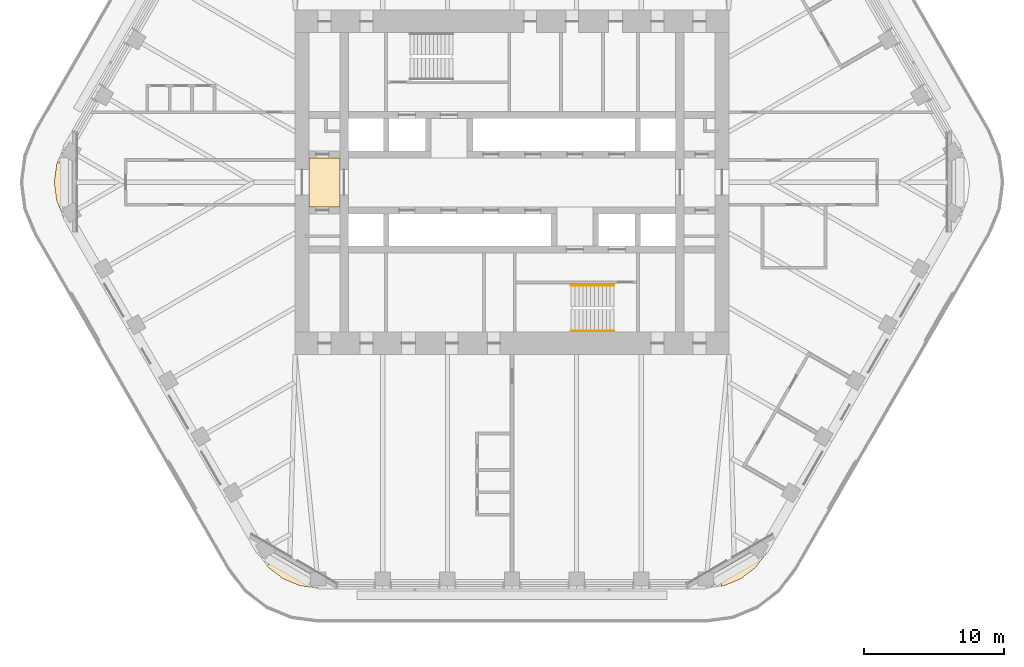
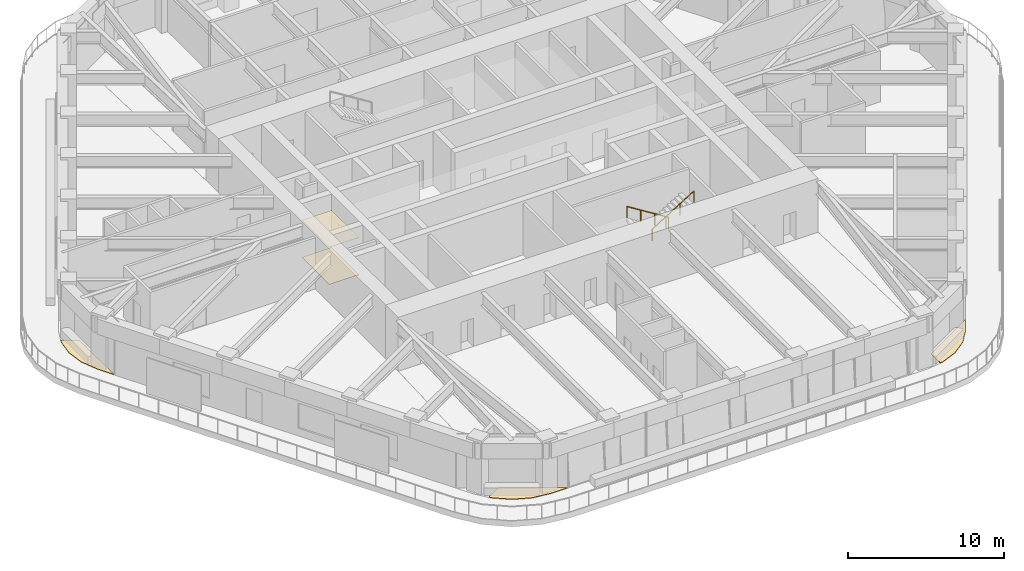
# One storey, part 18 of 20: 5 coverings, 2 railings.
"""IFC4 building model written with IfcOpenShell, lengths in metres."""

from ifc_helpers import new_model, si_unit, direction, frame, origin, origin_2d, place, context, subcontext, project, spatial, polyline, circle, outline, extrude, material, layer, layer_set, type_object, element, save


model = new_model("IFC4")

# Units and contexts
model_context = context("Model", 3, precision=1e-05, world=origin(), true_north=direction((0.0, 1.0)))
body_context = subcontext(model_context, "Body", "Model", "MODEL_VIEW")
ifc_project = project(units=[si_unit("LENGTHUNIT", "METRE"), si_unit("AREAUNIT", "SQUARE_METRE"), si_unit("VOLUMEUNIT", "CUBIC_METRE"), si_unit("PLANEANGLEUNIT", "RADIAN"), si_unit("MASSUNIT", "GRAM", prefix="KILO")], contexts=[model_context])

# Site, building, storey
site_placement = place(None, origin())
site = spatial("IfcSite", under=ifc_project, at=site_placement, CompositionType="ELEMENT")
building_placement = place(site_placement, origin())
building = spatial("IfcBuilding", under=site, at=building_placement, Name="Tarfa Lantern Tower", CompositionType="ELEMENT")
storey_placement = place(building_placement, frame((0.0, 0.0, 278.5)))
storey = spatial("IfcBuildingStorey", under=building, at=storey_placement, Name="L63", CompositionType="ELEMENT", Elevation=278.5)

# Coverings
ifc_material_1 = material(Name="Powder-coated aluminium panel", Category="aluminium")
ifc_layer_1 = layer(ifc_material_1, 0.030029296875)
ifc_layer_set_1 = layer_set([ifc_layer_1], Name="CL3 METAL PANEL CEILING 30")
covering_type_1 = type_object("IfcCoveringType", Name="CL3 METAL PANEL CEILING 30", PredefinedType="CEILING", material=ifc_layer_set_1)
covering_1_placement = place(storey_placement, frame((0.0, 0.0, 2.89990234375)))
element("IfcCovering", 1, at=covering_1_placement, inside=storey, type_object=covering_type_1, Name="Ceiling L63-01", PredefinedType="CEILING", context=body_context, shape_type="SweptSolid", body=[
    extrude(outline(polyline([(-14.5, -1.75), (-12.300048828125, -1.75), (-12.300048828125, 1.75), (-14.5, 1.75), (-14.5, -1.75)])), origin(), (0.0, 0.0, 1.0), 0.030029296875),
])
ifc_material_2 = material(Name="Honed limestone flooring", Category="masonry")
ifc_layer_2 = layer(ifc_material_2, 0.030029296875)
ifc_layer_set_2 = layer_set([ifc_layer_2], Name="FL2 STONE FLOORING 30")
covering_type_2 = type_object("IfcCoveringType", Name="FL2 STONE FLOORING 30", PredefinedType="FLOORING", material=ifc_layer_set_2)
covering_2_placement = place(storey_placement, origin())
element("IfcCovering", 2, at=covering_2_placement, inside=storey, type_object=covering_type_2, Name="Floor finish L63-01", PredefinedType="FLOORING", context=body_context, shape_type="SweptSolid", body=[
    extrude(outline(polyline([(-14.5, -1.75), (-12.300048828125, -1.75), (-12.300048828125, 1.75), (-14.5, 1.75), (-14.5, -1.75)])), origin(), (0.0, 0.0, 1.0), 0.030029296875),
])

# Railings
ifc_material_3 = material(Name="Stainless steel", Category="steel")
railing_type = type_object("IfcRailingType", Name="HR1 HANDRAIL 900", PredefinedType="HANDRAIL", material=ifc_material_3)
railing_1_placement = place(storey_placement, frame((7.300048828125, -7.3798828125, 0.175048828125)))
element("IfcRailing", 3, at=railing_1_placement, inside=storey, type_object=railing_type, Name="Handrail 1", PredefinedType="HANDRAIL", context=body_context, shape_type="SweptSolid", body=[
    extrude(circle(Radius=0.02392578125, at=origin_2d()), frame((0.0, 0.0, 0.8759765625), z_axis=(-0.847998304005, 0.0, 0.529998940003), x_axis=(0.0, -1.0, 0.0)), (0.0, 0.0, 1.0), 3.632080078125),
    extrude(circle(Radius=0.02099609375, at=origin_2d()), frame((0.0, 0.0, 0.0), z_axis=(0.0, 0.0, 1.0), x_axis=(0.0, -1.0, 0.0)), (0.0, 0.0, 1.0), 0.851806640625),
    extrude(circle(Radius=0.02099609375, at=origin_2d()), frame((-1.026611328125, 0.0, 0.6416015625), z_axis=(0.0, 0.0, 1.0), x_axis=(0.0, -1.0, 0.0)), (0.0, 0.0, 1.0), 0.851806640625),
    extrude(circle(Radius=0.02099609375, at=origin_2d()), frame((-2.053466796875, 0.0, 1.283447265625), z_axis=(0.0, 0.0, 1.0), x_axis=(0.0, -1.0, 0.0)), (0.0, 0.0, 1.0), 0.851806640625),
    extrude(circle(Radius=0.02099609375, at=origin_2d()), frame((-3.080078125, 0.0, 1.925048828125), z_axis=(0.0, 0.0, 1.0), x_axis=(0.0, -1.0, 0.0)), (0.0, 0.0, 1.0), 0.851806640625),
])
railing_2_placement = place(storey_placement, frame((4.219970703125, -10.6201171875, 2.27490234375)))
element("IfcRailing", 4, at=railing_2_placement, inside=storey, type_object=railing_type, Name="Handrail 2", PredefinedType="HANDRAIL", context=body_context, shape_type="SweptSolid", body=[
    extrude(circle(Radius=0.02392578125, at=origin_2d()), frame((0.0, 0.0, 0.8759765625), z_axis=(0.847998304005, 0.0, 0.529998940003), x_axis=(0.0, 1.0, 0.0)), (0.0, 0.0, 1.0), 3.632080078125),
    extrude(circle(Radius=0.02099609375, at=origin_2d()), frame((0.0, 0.0, 0.0), z_axis=(0.0, 0.0, 1.0), x_axis=(0.0, 1.0, 0.0)), (0.0, 0.0, 1.0), 0.851806640625),
    extrude(circle(Radius=0.02099609375, at=origin_2d()), frame((1.026611328125, 0.0, 0.6416015625), z_axis=(0.0, 0.0, 1.0), x_axis=(0.0, 1.0, 0.0)), (0.0, 0.0, 1.0), 0.851806640625),
    extrude(circle(Radius=0.02099609375, at=origin_2d()), frame((2.053466796875, 0.0, 1.283447265625), z_axis=(0.0, 0.0, 1.0), x_axis=(0.0, 1.0, 0.0)), (0.0, 0.0, 1.0), 0.851806640625),
    extrude(circle(Radius=0.02099609375, at=origin_2d()), frame((3.080078125, 0.0, 1.925048828125), z_axis=(0.0, 0.0, 1.0), x_axis=(0.0, 1.0, 0.0)), (0.0, 0.0, 1.0), 0.851806640625),
])

# Coverings
ifc_material_4 = material(Name="Porcelain pavers on pedestals", Category="ceramic")
ifc_layer_3 = layer(ifc_material_4, 0.0400390625)
ifc_layer_set_3 = layer_set([ifc_layer_3], Name="LP1 LOGGIA PAVING 40")
covering_type_3 = type_object("IfcCoveringType", Name="LP1 LOGGIA PAVING 40", PredefinedType="FLOORING", material=ifc_layer_set_3)
covering_3_placement = place(storey_placement, origin())
element("IfcCovering", 5, at=covering_3_placement, inside=storey, type_object=covering_type_3, Name="Sky garden paving NW-SW", PredefinedType="FLOORING", context=body_context, shape_type="SweptSolid", body=[
    extrude(outline(polyline([(-32.54248046875, -1.294189453125), (-32.712890625, 0.0), (-32.54248046875, 1.294189453125), (-32.467529296875, 1.474853515625), (-31.43310546875, 0.877685546875), (-31.43310546875, -3.55078125), (-31.436279296875, -3.55078125), (-32.04296875, -2.5), (-32.54248046875, -1.294189453125)])), origin(), (0.0, 0.0, 1.0), 0.0400390625),
])
covering_4_placement = place(storey_placement, origin())
element("IfcCovering", 6, at=covering_4_placement, inside=storey, type_object=covering_type_3, Name="Sky garden paving SW-S", PredefinedType="FLOORING", context=body_context, shape_type="SweptSolid", body=[
    extrude(outline(polyline([(-15.150390625, -28.82958984375), (-16.3564453125, -28.330078125), (-17.391845703125, -27.53564453125), (-17.51123046875, -27.380126953125), (-16.4765625, -26.782958984375), (-12.641357421875, -28.997314453125), (-12.64306640625, -29.0), (-13.8564453125, -29.0), (-15.150390625, -28.82958984375)])), origin(), (0.0, 0.0, 1.0), 0.0400390625),
])
covering_5_placement = place(storey_placement, origin())
element("IfcCovering", 7, at=covering_5_placement, inside=storey, type_object=covering_type_3, Name="Sky garden paving S-SE", PredefinedType="FLOORING", context=body_context, shape_type="SweptSolid", body=[
    extrude(outline(polyline([(17.391845703125, -27.53564453125), (16.3564453125, -28.330078125), (15.150390625, -28.82958984375), (14.956298828125, -28.855224609375), (14.956298828125, -27.66064453125), (18.791748046875, -25.4462890625), (18.793212890625, -25.44921875), (18.1865234375, -26.5), (17.391845703125, -27.53564453125)])), origin(), (0.0, 0.0, 1.0), 0.0400390625),
])

save(model, "model.ifc")
